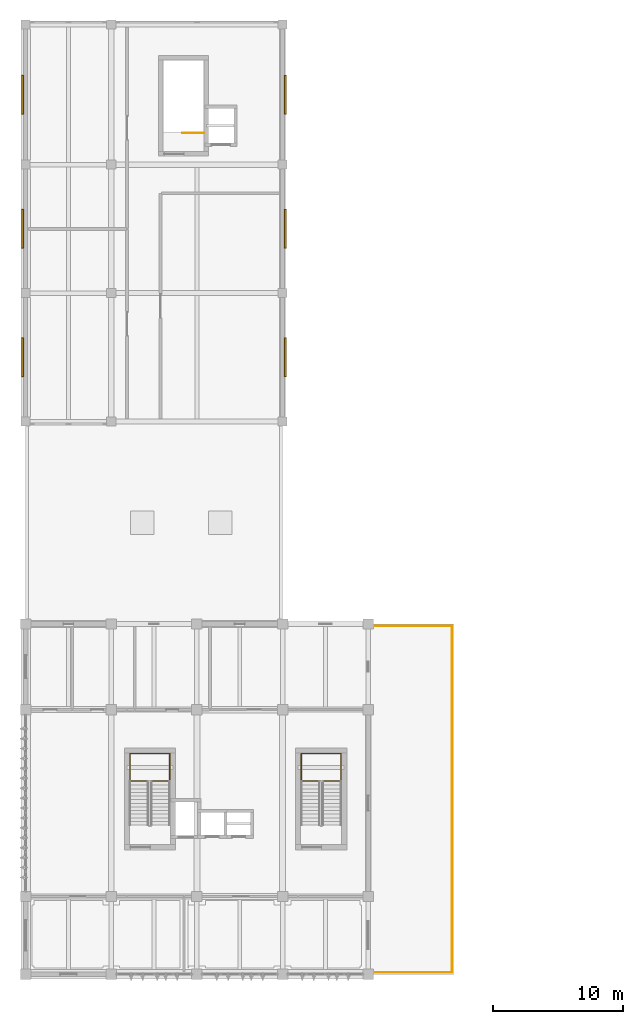
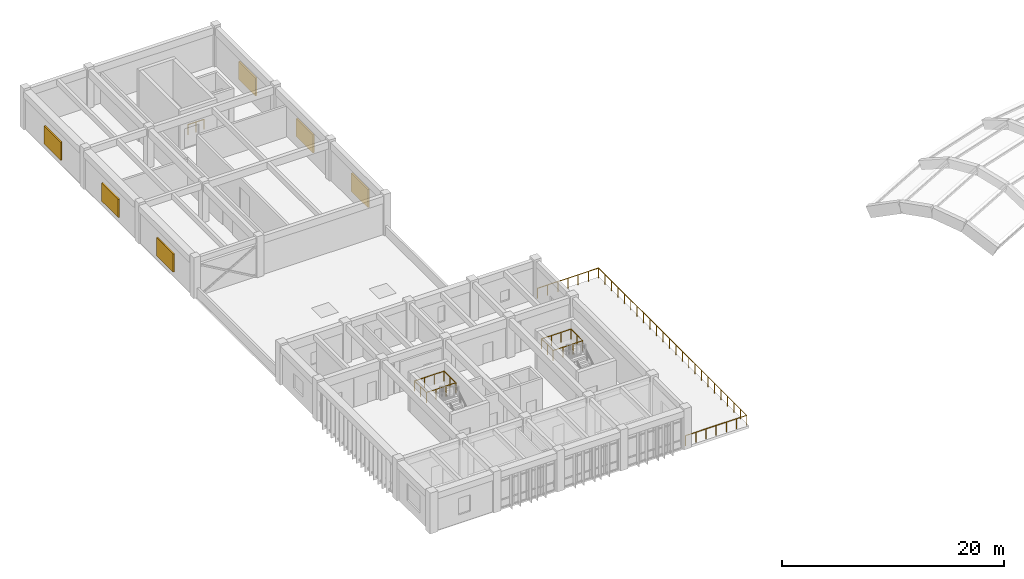
# One storey, part 18 of 18: 6 railings, 6 shading devices.
"""IFC4 building model written with IfcOpenShell, lengths in metres."""

from ifc_helpers import new_model, si_unit, direction, frame, origin, origin_2d, place, context, subcontext, project, spatial, rectangle, circle, extrude, material, layer, layer_set, type_object, element, save


model = new_model("IFC4")

# Units and contexts
model_context = context("Model", 3, precision=1e-05, world=origin(), true_north=direction((0.0, 1.0)))
body_context = subcontext(model_context, "Body", "Model", "MODEL_VIEW")
ifc_project = project(units=[si_unit("LENGTHUNIT", "METRE"), si_unit("AREAUNIT", "SQUARE_METRE"), si_unit("VOLUMEUNIT", "CUBIC_METRE"), si_unit("PLANEANGLEUNIT", "RADIAN"), si_unit("MASSUNIT", "GRAM", prefix="KILO")], contexts=[model_context])

# Site, building, storey
site_placement = place(None, origin())
site = spatial("IfcSite", under=ifc_project, at=site_placement, CompositionType="ELEMENT")
building_placement = place(site_placement, origin())
building = spatial("IfcBuilding", under=site, at=building_placement, Name="Miralva Faculty of Natural Sciences", CompositionType="ELEMENT")
storey_placement = place(building_placement, frame((0.0, 0.0, 28.5)))
storey = spatial("IfcBuildingStorey", under=building, at=storey_placement, Name="L06", CompositionType="ELEMENT", Elevation=28.5)

# Railings
ifc_material_1 = material(Name="Steel S355", Category="steel")
railing_type_1 = type_object("IfcRailingType", Name="RL-GR01", PredefinedType="GUARDRAIL", material=ifc_material_1)
railing_1_placement = place(storey_placement, frame((11.0400390625, 17.89990234375, 2.25)))
element("IfcRailing", 1, at=railing_1_placement, inside=storey, type_object=railing_type_1, Name="Stair Core C1 half-landing guard L06-1A", PredefinedType="GUARDRAIL", context=body_context, shape_type="SweptSolid", body=[
    extrude(circle(Radius=0.02392578125, at=origin_2d()), frame((0.0, 0.0, 1.09619140625), z_axis=(0.0, 1.0, 0.0), x_axis=(-1.0, 0.0, 0.0)), (0.0, 0.0, 1.0), 2.110107421875),
    extrude(circle(Radius=0.02392578125, at=origin_2d()), frame((0.0, 2.110107421875, 1.09619140625), z_axis=(1.0, 0.0, 0.0), x_axis=(0.0, 1.0, 0.0)), (0.0, 0.0, 1.0), 3.070068359375),
    extrude(circle(Radius=0.02099609375, at=origin_2d()), origin(), (0.0, 0.0, 1.0), 1.072021484375),
    extrude(circle(Radius=0.02099609375, at=origin_2d()), frame((0.0, 1.05517578125, 0.0)), (0.0, 0.0, 1.0), 1.072021484375),
    extrude(circle(Radius=0.02099609375, at=origin_2d()), frame((0.0, 2.110107421875, 0.0)), (0.0, 0.0, 1.0), 1.072021484375),
    extrude(circle(Radius=0.02099609375, at=origin_2d()), frame((1.0234375, 2.110107421875, 0.0)), (0.0, 0.0, 1.0), 1.072021484375),
    extrude(circle(Radius=0.02099609375, at=origin_2d()), frame((2.046630859375, 2.110107421875, 0.0)), (0.0, 0.0, 1.0), 1.072021484375),
    extrude(circle(Radius=0.02099609375, at=origin_2d()), frame((3.070068359375, 2.110107421875, 0.0)), (0.0, 0.0, 1.0), 1.072021484375),
])
railing_2_placement = place(storey_placement, frame((14.110107421875, 20.010009765625, 2.25)))
element("IfcRailing", 2, at=railing_2_placement, inside=storey, type_object=railing_type_1, Name="Stair Core C1 half-landing guard L06-1B", PredefinedType="GUARDRAIL", context=body_context, shape_type="SweptSolid", body=[
    extrude(circle(Radius=0.02392578125, at=origin_2d()), frame((0.0, 0.0, 1.09619140625), z_axis=(0.0, -1.0, 0.0), x_axis=(1.0, 0.0, 0.0)), (0.0, 0.0, 1.0), 2.110107421875),
    extrude(circle(Radius=0.02392578125, at=origin_2d()), frame((0.0, -2.110107421875, 1.09619140625), z_axis=(-1.0, 0.0, 0.0), x_axis=(0.0, -1.0, 0.0)), (0.0, 0.0, 1.0), 3.070068359375),
    extrude(circle(Radius=0.02099609375, at=origin_2d()), origin(), (0.0, 0.0, 1.0), 1.072021484375),
    extrude(circle(Radius=0.02099609375, at=origin_2d()), frame((0.0, -1.05517578125, 0.0)), (0.0, 0.0, 1.0), 1.072021484375),
    extrude(circle(Radius=0.02099609375, at=origin_2d()), frame((0.0, -2.110107421875, 0.0)), (0.0, 0.0, 1.0), 1.072021484375),
    extrude(circle(Radius=0.02099609375, at=origin_2d()), frame((-1.0234375, -2.110107421875, 0.0)), (0.0, 0.0, 1.0), 1.072021484375),
    extrude(circle(Radius=0.02099609375, at=origin_2d()), frame((-2.046630859375, -2.110107421875, 0.0)), (0.0, 0.0, 1.0), 1.072021484375),
    extrude(circle(Radius=0.02099609375, at=origin_2d()), frame((-3.070068359375, -2.110107421875, 0.0)), (0.0, 0.0, 1.0), 1.072021484375),
])
railing_3_placement = place(storey_placement, frame((24.239990234375, 17.89990234375, 2.25)))
element("IfcRailing", 3, at=railing_3_placement, inside=storey, type_object=railing_type_1, Name="Stair Core C1B half-landing guard L06-1A", PredefinedType="GUARDRAIL", context=body_context, shape_type="SweptSolid", body=[
    extrude(circle(Radius=0.02392578125, at=origin_2d()), frame((0.0, 0.0, 1.09619140625), z_axis=(0.0, 1.0, 0.0), x_axis=(-1.0, 0.0, 0.0)), (0.0, 0.0, 1.0), 2.110107421875),
    extrude(circle(Radius=0.02392578125, at=origin_2d()), frame((0.0, 2.110107421875, 1.09619140625), z_axis=(1.0, 0.0, 0.0), x_axis=(0.0, 1.0, 0.0)), (0.0, 0.0, 1.0), 3.070068359375),
    extrude(circle(Radius=0.02099609375, at=origin_2d()), origin(), (0.0, 0.0, 1.0), 1.072021484375),
    extrude(circle(Radius=0.02099609375, at=origin_2d()), frame((0.0, 1.05517578125, 0.0)), (0.0, 0.0, 1.0), 1.072021484375),
    extrude(circle(Radius=0.02099609375, at=origin_2d()), frame((0.0, 2.110107421875, 0.0)), (0.0, 0.0, 1.0), 1.072021484375),
    extrude(circle(Radius=0.02099609375, at=origin_2d()), frame((1.0234375, 2.110107421875, 0.0)), (0.0, 0.0, 1.0), 1.072021484375),
    extrude(circle(Radius=0.02099609375, at=origin_2d()), frame((2.046630859375, 2.110107421875, 0.0)), (0.0, 0.0, 1.0), 1.072021484375),
    extrude(circle(Radius=0.02099609375, at=origin_2d()), frame((3.070068359375, 2.110107421875, 0.0)), (0.0, 0.0, 1.0), 1.072021484375),
])
railing_4_placement = place(storey_placement, frame((27.31005859375, 20.010009765625, 2.25)))
element("IfcRailing", 4, at=railing_4_placement, inside=storey, type_object=railing_type_1, Name="Stair Core C1B half-landing guard L06-1B", PredefinedType="GUARDRAIL", context=body_context, shape_type="SweptSolid", body=[
    extrude(circle(Radius=0.02392578125, at=origin_2d()), frame((0.0, 0.0, 1.09619140625), z_axis=(0.0, -1.0, 0.0), x_axis=(1.0, 0.0, 0.0)), (0.0, 0.0, 1.0), 2.110107421875),
    extrude(circle(Radius=0.02392578125, at=origin_2d()), frame((0.0, -2.110107421875, 1.09619140625), z_axis=(-1.0, 0.0, 0.0), x_axis=(0.0, -1.0, 0.0)), (0.0, 0.0, 1.0), 3.070068359375),
    extrude(circle(Radius=0.02099609375, at=origin_2d()), origin(), (0.0, 0.0, 1.0), 1.072021484375),
    extrude(circle(Radius=0.02099609375, at=origin_2d()), frame((0.0, -1.05517578125, 0.0)), (0.0, 0.0, 1.0), 1.072021484375),
    extrude(circle(Radius=0.02099609375, at=origin_2d()), frame((0.0, -2.110107421875, 0.0)), (0.0, 0.0, 1.0), 1.072021484375),
    extrude(circle(Radius=0.02099609375, at=origin_2d()), frame((-1.0234375, -2.110107421875, 0.0)), (0.0, 0.0, 1.0), 1.072021484375),
    extrude(circle(Radius=0.02099609375, at=origin_2d()), frame((-2.046630859375, -2.110107421875, 0.0)), (0.0, 0.0, 1.0), 1.072021484375),
    extrude(circle(Radius=0.02099609375, at=origin_2d()), frame((-3.070068359375, -2.110107421875, 0.0)), (0.0, 0.0, 1.0), 1.072021484375),
])
railing_5_placement = place(storey_placement, frame((16.75, 67.85009765625, 0.0)))
element("IfcRailing", 5, at=railing_5_placement, inside=storey, type_object=railing_type_1, Name="Stair Core C2 top well guard 1", PredefinedType="GUARDRAIL", context=body_context, shape_type="SweptSolid", body=[
    extrude(circle(Radius=0.02392578125, at=origin_2d()), frame((0.0, 0.0, 1.09619140625), z_axis=(-1.0, 0.0, 0.0), x_axis=(0.0, -1.0, 0.0)), (0.0, 0.0, 1.0), 1.64990234375),
    extrude(circle(Radius=0.02099609375, at=origin_2d()), origin(), (0.0, 0.0, 1.0), 1.072021484375),
    extrude(circle(Radius=0.02099609375, at=origin_2d()), frame((-0.824951171875, 0.0, 0.0)), (0.0, 0.0, 1.0), 1.072021484375),
    extrude(circle(Radius=0.02099609375, at=origin_2d()), frame((-1.64990234375, 0.0, 0.0)), (0.0, 0.0, 1.0), 1.072021484375),
])
railing_type_2 = type_object("IfcRailingType", Name="RL-GR03", PredefinedType="GUARDRAIL", material=ifc_material_1)
railing_6_placement = place(storey_placement, frame((29.5, 3.14990234375, 0.0)))
element("IfcRailing", 6, at=railing_6_placement, inside=storey, type_object=railing_type_2, Name="Walkable terrace perimeter safety guard L06", PredefinedType="GUARDRAIL", context=body_context, shape_type="SweptSolid", body=[
    extrude(circle(Radius=0.02392578125, at=origin_2d()), frame((0.0, 0.0, 1.09619140625), z_axis=(1.0, 0.0, 0.0), x_axis=(0.0, 1.0, 0.0)), (0.0, 0.0, 1.0), 6.35009765625),
    extrude(circle(Radius=0.02392578125, at=origin_2d()), frame((6.35009765625, 0.0, 1.09619140625), z_axis=(0.0, 1.0, 0.0), x_axis=(-1.0, 0.0, 0.0)), (0.0, 0.0, 1.0), 26.7001953125),
    extrude(circle(Radius=0.02392578125, at=origin_2d()), frame((6.35009765625, 26.7001953125, 1.09619140625), z_axis=(-1.0, 0.0, 0.0), x_axis=(0.0, -1.0, 0.0)), (0.0, 0.0, 1.0), 6.35009765625),
    extrude(circle(Radius=0.02099609375, at=origin_2d()), origin(), (0.0, 0.0, 1.0), 1.072021484375),
    extrude(circle(Radius=0.02099609375, at=origin_2d()), frame((1.058349609375, 0.0, 0.0)), (0.0, 0.0, 1.0), 1.072021484375),
    extrude(circle(Radius=0.02099609375, at=origin_2d()), frame((2.11669921875, 0.0, 0.0)), (0.0, 0.0, 1.0), 1.072021484375),
    extrude(circle(Radius=0.02099609375, at=origin_2d()), frame((3.175048828125, 0.0, 0.0)), (0.0, 0.0, 1.0), 1.072021484375),
    extrude(circle(Radius=0.02099609375, at=origin_2d()), frame((4.2333984375, 0.0, 0.0)), (0.0, 0.0, 1.0), 1.072021484375),
    extrude(circle(Radius=0.02099609375, at=origin_2d()), frame((5.291748046875, 0.0, 0.0)), (0.0, 0.0, 1.0), 1.072021484375),
    extrude(circle(Radius=0.02099609375, at=origin_2d()), frame((6.35009765625, 0.0, 0.0)), (0.0, 0.0, 1.0), 1.072021484375),
    extrude(circle(Radius=0.02099609375, at=origin_2d()), frame((6.35009765625, 1.160888671875, 0.0)), (0.0, 0.0, 1.0), 1.072021484375),
    extrude(circle(Radius=0.02099609375, at=origin_2d()), frame((6.35009765625, 2.32177734375, 0.0)), (0.0, 0.0, 1.0), 1.072021484375),
    extrude(circle(Radius=0.02099609375, at=origin_2d()), frame((6.35009765625, 3.482666015625, 0.0)), (0.0, 0.0, 1.0), 1.072021484375),
    extrude(circle(Radius=0.02099609375, at=origin_2d()), frame((6.35009765625, 4.6435546875, 0.0)), (0.0, 0.0, 1.0), 1.072021484375),
    extrude(circle(Radius=0.02099609375, at=origin_2d()), frame((6.35009765625, 5.804443359375, 0.0)), (0.0, 0.0, 1.0), 1.072021484375),
    extrude(circle(Radius=0.02099609375, at=origin_2d()), frame((6.35009765625, 6.96533203125, 0.0)), (0.0, 0.0, 1.0), 1.072021484375),
    extrude(circle(Radius=0.02099609375, at=origin_2d()), frame((6.35009765625, 8.126220703125, 0.0)), (0.0, 0.0, 1.0), 1.072021484375),
    extrude(circle(Radius=0.02099609375, at=origin_2d()), frame((6.35009765625, 9.287109375, 0.0)), (0.0, 0.0, 1.0), 1.072021484375),
    extrude(circle(Radius=0.02099609375, at=origin_2d()), frame((6.35009765625, 10.447998046875, 0.0)), (0.0, 0.0, 1.0), 1.072021484375),
    extrude(circle(Radius=0.02099609375, at=origin_2d()), frame((6.35009765625, 11.60888671875, 0.0)), (0.0, 0.0, 1.0), 1.072021484375),
    extrude(circle(Radius=0.02099609375, at=origin_2d()), frame((6.35009765625, 12.769775390625, 0.0)), (0.0, 0.0, 1.0), 1.072021484375),
    extrude(circle(Radius=0.02099609375, at=origin_2d()), frame((6.35009765625, 13.930419921875, 0.0)), (0.0, 0.0, 1.0), 1.072021484375),
    extrude(circle(Radius=0.02099609375, at=origin_2d()), frame((6.35009765625, 15.09130859375, 0.0)), (0.0, 0.0, 1.0), 1.072021484375),
    extrude(circle(Radius=0.02099609375, at=origin_2d()), frame((6.35009765625, 16.252197265625, 0.0)), (0.0, 0.0, 1.0), 1.072021484375),
    extrude(circle(Radius=0.02099609375, at=origin_2d()), frame((6.35009765625, 17.4130859375, 0.0)), (0.0, 0.0, 1.0), 1.072021484375),
    extrude(circle(Radius=0.02099609375, at=origin_2d()), frame((6.35009765625, 18.573974609375, 0.0)), (0.0, 0.0, 1.0), 1.072021484375),
    extrude(circle(Radius=0.02099609375, at=origin_2d()), frame((6.35009765625, 19.73486328125, 0.0)), (0.0, 0.0, 1.0), 1.072021484375),
    extrude(circle(Radius=0.02099609375, at=origin_2d()), frame((6.35009765625, 20.895751953125, 0.0)), (0.0, 0.0, 1.0), 1.072021484375),
    extrude(circle(Radius=0.02099609375, at=origin_2d()), frame((6.35009765625, 22.056640625, 0.0)), (0.0, 0.0, 1.0), 1.072021484375),
    extrude(circle(Radius=0.02099609375, at=origin_2d()), frame((6.35009765625, 23.217529296875, 0.0)), (0.0, 0.0, 1.0), 1.072021484375),
    extrude(circle(Radius=0.02099609375, at=origin_2d()), frame((6.35009765625, 24.37841796875, 0.0)), (0.0, 0.0, 1.0), 1.072021484375),
    extrude(circle(Radius=0.02099609375, at=origin_2d()), frame((6.35009765625, 25.539306640625, 0.0)), (0.0, 0.0, 1.0), 1.072021484375),
    extrude(circle(Radius=0.02099609375, at=origin_2d()), frame((6.35009765625, 26.7001953125, 0.0)), (0.0, 0.0, 1.0), 1.072021484375),
    extrude(circle(Radius=0.02099609375, at=origin_2d()), frame((5.291748046875, 26.7001953125, 0.0)), (0.0, 0.0, 1.0), 1.072021484375),
    extrude(circle(Radius=0.02099609375, at=origin_2d()), frame((4.2333984375, 26.7001953125, 0.0)), (0.0, 0.0, 1.0), 1.072021484375),
    extrude(circle(Radius=0.02099609375, at=origin_2d()), frame((3.175048828125, 26.7001953125, 0.0)), (0.0, 0.0, 1.0), 1.072021484375),
    extrude(circle(Radius=0.02099609375, at=origin_2d()), frame((2.11669921875, 26.7001953125, 0.0)), (0.0, 0.0, 1.0), 1.072021484375),
    extrude(circle(Radius=0.02099609375, at=origin_2d()), frame((1.058349609375, 26.7001953125, 0.0)), (0.0, 0.0, 1.0), 1.072021484375),
    extrude(circle(Radius=0.02099609375, at=origin_2d()), frame((0.0, 26.7001953125, 0.0)), (0.0, 0.0, 1.0), 1.072021484375),
])

# Shading devices
ifc_material_2 = material(Name="Anodised aluminium", Category="aluminium")
ifc_layer = layer(ifc_material_2, 0.14990234375, Name="SHD-LV01")
ifc_layer_set = layer_set([ifc_layer], Name="Anodised aluminium")
shading_device_type = type_object("IfcShadingDeviceType", Name="SHD-LV01", PredefinedType="JALOUSIE", material=ifc_layer_set)
for number, where, z_axis, x_axis, name in (
    (7, (2.780029296875, 50.550048828125, 0.60009765625), (0.0, 0.0, 1.0), (1.0, 0.0, 0.0), "Mechanical plant west acoustic louvre 1"),
    (8, (2.780029296875, 60.449951171875, 0.60009765625), (0.0, 0.0, 1.0), (1.0, 0.0, 0.0), "Mechanical plant west acoustic louvre 2"),
    (9, (2.780029296875, 70.800048828125, 0.60009765625), (0.0, 0.0, 1.0), (1.0, 0.0, 0.0), "Mechanical plant west acoustic louvre 3"),
    (10, (23.02001953125, 50.550048828125, 0.60009765625), (0.0, 0.0, 1.0), (1.0, 0.0, 0.0), "Mechanical plant east acoustic louvre 1"),
    (11, (23.02001953125, 60.449951171875, 0.60009765625), (0.0, 0.0, 1.0), (1.0, 0.0, 0.0), "Mechanical plant east acoustic louvre 2"),
    (12, (23.02001953125, 70.800048828125, 0.60009765625), (0.0, 0.0, 1.0), (1.0, 0.0, 0.0), "Mechanical plant east acoustic louvre 3"),
):
    element("IfcShadingDevice", number, at=place(storey_placement, frame(where, z_axis=z_axis, x_axis=x_axis)), inside=storey, type_object=shading_device_type, Name=name, PredefinedType="JALOUSIE", context=body_context, shape_type="SweptSolid", body=[
        extrude(rectangle(XDim=0.14990234375, YDim=3.0, at=origin_2d()), origin(), (0.0, 0.0, 1.0), 2.0),
    ])

save(model, "model.ifc")
